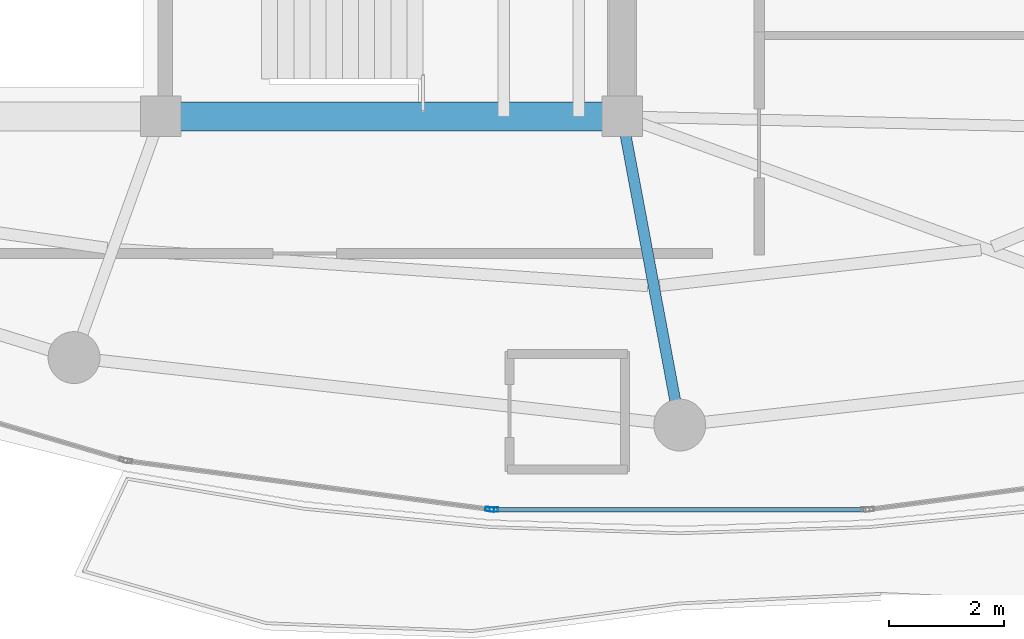
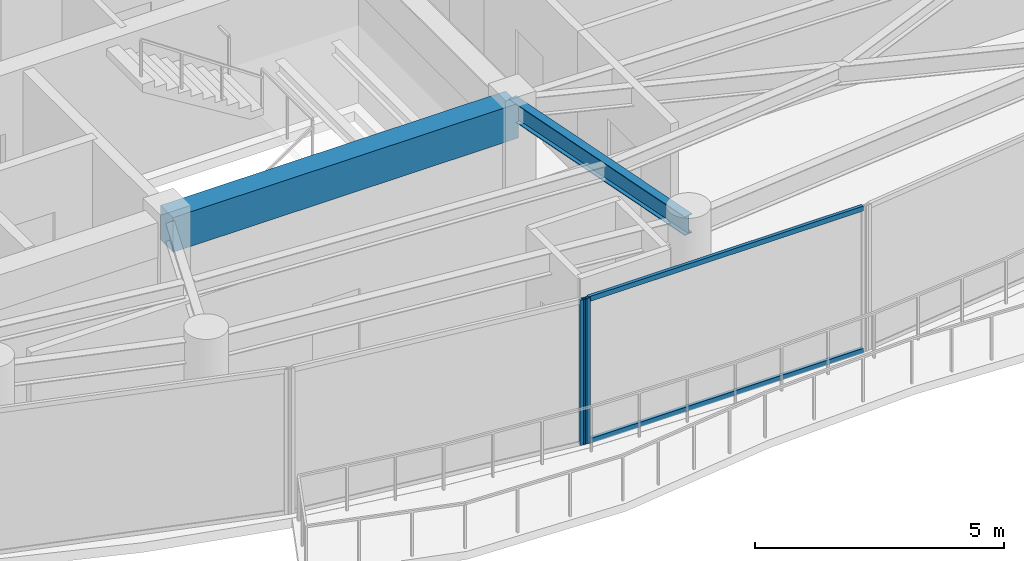
# One storey, part 7 of 29: 4 members, 2 beams, 2 elements without a shape of their own.
"""IFC4 building model written with IfcOpenShell, lengths in metres."""

from ifc_helpers import new_model, si_unit, direction, frame, origin, origin_2d, place, context, subcontext, project, spatial, rectangle, hollow_rectangle, i_section, extrude, material, layer, layer_set, material_profile, profile_set, type_object, element, aggregate, save


model = new_model("IFC4")

# Units and contexts
model_context = context("Model", 3, precision=1e-05, world=origin(), true_north=direction((0.0, 1.0)))
body_context = subcontext(model_context, "Body", "Model", "MODEL_VIEW")
ifc_project = project(units=[si_unit("LENGTHUNIT", "METRE"), si_unit("AREAUNIT", "SQUARE_METRE"), si_unit("VOLUMEUNIT", "CUBIC_METRE"), si_unit("PLANEANGLEUNIT", "RADIAN"), si_unit("MASSUNIT", "GRAM", prefix="KILO")], contexts=[model_context])

# Site, building, storey
site_placement = place(None, origin())
site = spatial("IfcSite", under=ifc_project, at=site_placement, CompositionType="ELEMENT")
building_placement = place(site_placement, origin())
building = spatial("IfcBuilding", under=site, at=building_placement, Name="Kazevale Care Tower and Concert Hall", CompositionType="ELEMENT")
storey_placement = place(building_placement, frame((0.0, 0.0, 262.39990234375)))
storey = spatial("IfcBuildingStorey", under=building, at=storey_placement, Name="L69", CompositionType="ELEMENT", Elevation=262.39990234375)

# Curtain wall, member
ifc_material_1 = material(Name="Aluminium 6063-T6 and Low-E Glass", Category="aluminium")
ifc_layer = layer(ifc_material_1, 0.179931640625)
ifc_layer_set = layer_set([ifc_layer], Name="Aluminium 6063-T6 and Low-E Glass")
curtain_wall_type = type_object("IfcCurtainWallType", Name="Sheltered Concave Balcony Curtain Wall CW-5", PredefinedType="NOTDEFINED", material=ifc_layer_set)
curtain_wall_1_placement = place(storey_placement, origin())
curtain_wall_1 = element("IfcCurtainWall", 1, at=curtain_wall_1_placement, inside=storey, type_object=curtain_wall_type, Name="cw:L69:f06", PredefinedType="NOTDEFINED")
ifc_material_2 = material(Name="Aluminium 6063-T6", Category="aluminium")
ifc_material_profile_1 = material_profile(ifc_material_2, hollow_rectangle(XDim=0.074951171875, YDim=0.14990234375, WallThickness=0.00390625, at=origin_2d()), Name="ALU75x150x4")
ifc_profile_set_1 = profile_set([ifc_material_profile_1], Name="Aluminium 6063-T6")
member_type_1 = type_object("IfcMemberType", Name="CW-5 Mullion ALU75x150x4", PredefinedType="MULLION", material=ifc_profile_set_1)
member_1_placement = place(storey_placement, frame((41.779541015625, 16.784912109375, 0.0), z_axis=(0.0, 0.0, 1.0), x_axis=(0.0, -1.0, 0.0)))
member_1 = element("IfcMember", 2, at=member_1_placement, type_object=member_type_1, Name="CW-5 mullion 2", PredefinedType="MULLION", context=body_context, shape_type="SweptSolid", body=[
    extrude(hollow_rectangle(XDim=0.074951171875, YDim=0.14990234375, WallThickness=0.00390625, at=origin_2d()), origin(), (0.0, 0.0, 1.0), 3.56005859375),
])

curtain_wall_2_placement = place(storey_placement, origin())
curtain_wall_2 = element("IfcCurtainWall", 3, at=curtain_wall_2_placement, inside=storey, type_object=curtain_wall_type, Name="cw:L69:f07", PredefinedType="NOTDEFINED")
member_2_placement = place(storey_placement, frame((41.704833984375, 16.7900390625, 0.0), z_axis=(0.0, 0.0, 1.0), x_axis=(-0.132542069018, -0.991177380664, 0.0)))
member_2 = element("IfcMember", 4, at=member_2_placement, type_object=member_type_1, Name="CW-5 mullion 1", PredefinedType="MULLION", context=body_context, shape_type="SweptSolid", body=[
    extrude(hollow_rectangle(XDim=0.074951171875, YDim=0.14990234375, WallThickness=0.00390625, at=origin_2d()), origin(), (0.0, 0.0, 1.0), 3.56005859375),
])
aggregate(curtain_wall_2, [member_2])

# Member
ifc_material_profile_2 = material_profile(ifc_material_2, hollow_rectangle(XDim=0.074951171875, YDim=0.1201171875, WallThickness=0.00390625, at=origin_2d()), Name="ALU75x120x4")
ifc_profile_set_2 = profile_set([ifc_material_profile_2], Name="Aluminium 6063-T6")
member_type_2 = type_object("IfcMemberType", Name="CW-5 Transom ALU75x120x4", PredefinedType="USERDEFINED", material=ifc_profile_set_2)
member_3_placement = place(storey_placement, frame((48.18310546875, 16.784912109375, 0.03759765625), z_axis=(-1.0, 0.0, 0.0), x_axis=(0.0, -1.0, 0.0)))
member_3 = element("IfcMember", 5, at=member_3_placement, type_object=member_type_2, Name="CW-5 transom 1.1", ObjectType="TRANSOM", PredefinedType="USERDEFINED", context=body_context, shape_type="SweptSolid", body=[
    extrude(hollow_rectangle(XDim=0.074951171875, YDim=0.1201171875, WallThickness=0.00390625, at=origin_2d()), origin(), (0.0, 0.0, 1.0), 6.3662109375),
])

member_4_placement = place(storey_placement, frame((48.18310546875, 16.784912109375, 3.522705078125), z_axis=(-1.0, 0.0, 0.0), x_axis=(0.0, -1.0, 0.0)))
member_4 = element("IfcMember", 6, at=member_4_placement, type_object=member_type_2, Name="CW-5 transom 1.2", ObjectType="TRANSOM", PredefinedType="USERDEFINED", context=body_context, shape_type="SweptSolid", body=[
    extrude(hollow_rectangle(XDim=0.074951171875, YDim=0.1201171875, WallThickness=0.00390625, at=origin_2d()), origin(), (0.0, 0.0, 1.0), 6.3662109375),
])

aggregate(curtain_wall_1, [member_1, member_3, member_4])

# Beams
ifc_material_3 = material(Name="Concrete C60", Category="concrete")
ifc_material_profile_3 = material_profile(ifc_material_3, rectangle(XDim=0.5, YDim=0.85009765625, at=origin_2d()), Name="RC-B500x850")
ifc_profile_set_3 = profile_set([ifc_material_profile_3], Name="Concrete C60")
beam_type_1 = type_object("IfcBeamType", Name="Core Coupling Beam RC500x850", PredefinedType="LINTEL", material=ifc_profile_set_3)
beam_1_placement = place(storey_placement, frame((36.0, 23.60009765625, 3.135009765625), z_axis=(1.0, 0.0, 0.0), x_axis=(0.0, 1.0, 0.0)))
element("IfcBeam", 7, at=beam_1_placement, inside=storey, type_object=beam_type_1, Name="beam:L69:coretie:3", PredefinedType="LINTEL", context=body_context, shape_type="SweptSolid", body=[
    extrude(rectangle(XDim=0.5, YDim=0.85009765625, at=origin_2d()), origin(), (0.0, 0.0, 1.0), 8.0),
])
ifc_material_4 = material(Name="Steel ASTM A572 Gr 50", Category="steel")
ifc_material_profile_4 = material_profile(ifc_material_4, i_section(OverallWidth=0.19091796875, OverallDepth=0.4599609375, WebThickness=0.010009765625, FlangeThickness=0.01611328125, at=origin_2d()), Name="W460x82")
ifc_profile_set_4 = profile_set([ifc_material_profile_4], Name="Steel ASTM A572 Gr 50")
beam_type_2 = type_object("IfcBeamType", Name="Radial Floor Beam W460x82", PredefinedType="BEAM", material=ifc_profile_set_4)
beam_2_placement = place(storey_placement, frame((44.0, 23.60009765625, 3.330078125), z_axis=(0.183730597003, -0.982976636408, 0.0), x_axis=(0.982976636408, 0.183730597003, 0.0)))
element("IfcBeam", 8, at=beam_2_placement, inside=storey, type_object=beam_type_2, Name="beam:L69:rad:13", PredefinedType="BEAM", context=body_context, shape_type="SweptSolid", body=[
    extrude(i_section(OverallWidth=0.19091796875, OverallDepth=0.4599609375, WebThickness=0.010009765625, FlangeThickness=0.01611328125, at=origin_2d()), origin(), (0.0, 0.0, 1.0), 5.44287109375),
])

save(model, "model.ifc")
